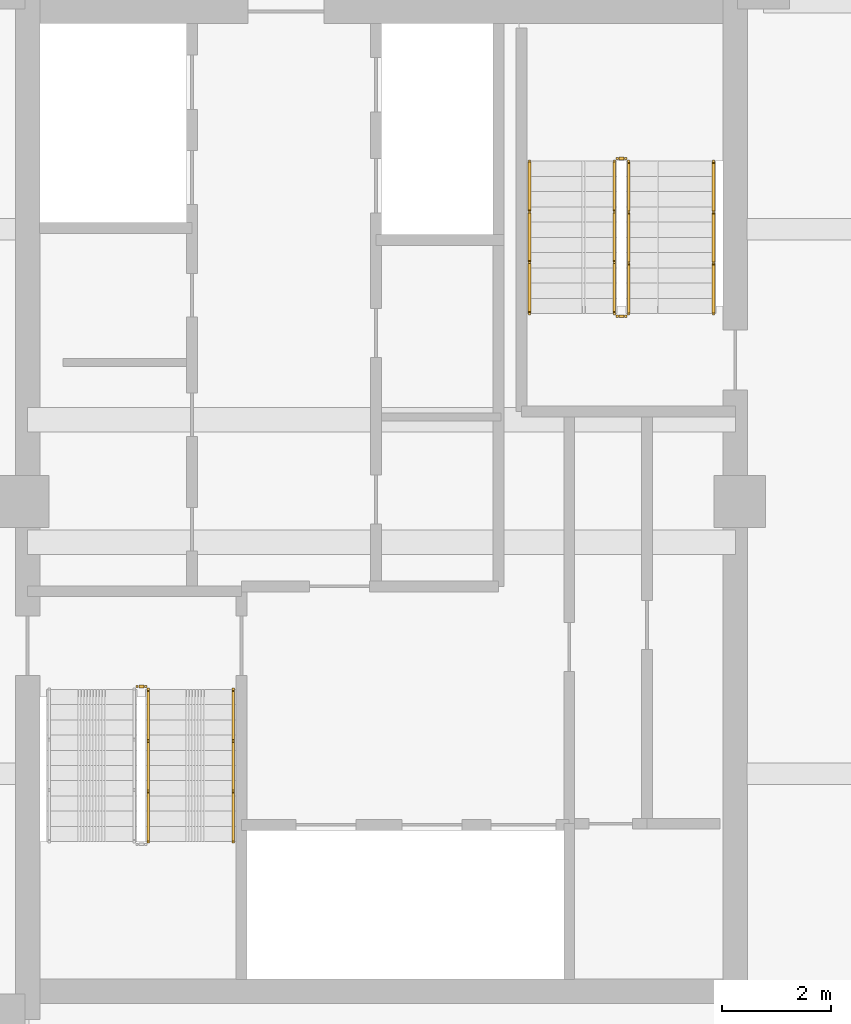
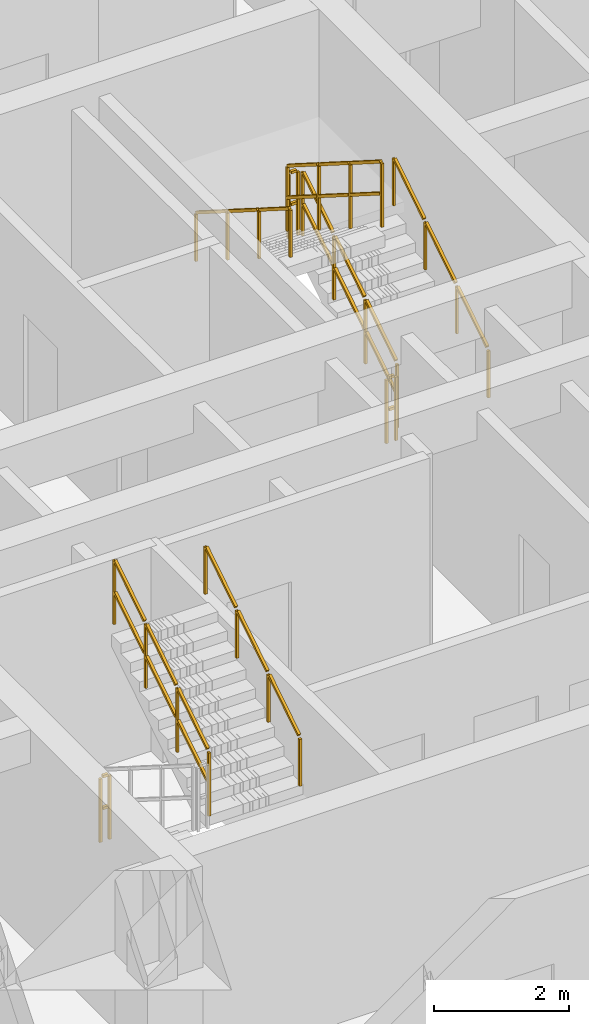
# One storey, part 20 of 22: 9 railings.
"""IFC4 building model written with IfcOpenShell, lengths in metres."""

from ifc_helpers import new_model, si_unit, direction, frame, origin, origin_2d, place, context, subcontext, project, spatial, rectangle, extrude, material, type_object, element, save


model = new_model("IFC4")

# Units and contexts
model_context = context("Model", 3, precision=1e-05, world=origin(), true_north=direction((0.0, 1.0)))
body_context = subcontext(model_context, "Body", "Model", "MODEL_VIEW")
ifc_project = project(units=[si_unit("LENGTHUNIT", "METRE"), si_unit("AREAUNIT", "SQUARE_METRE"), si_unit("VOLUMEUNIT", "CUBIC_METRE"), si_unit("PLANEANGLEUNIT", "RADIAN"), si_unit("MASSUNIT", "GRAM", prefix="KILO")], contexts=[model_context])

# Site, building, storey
site_placement = place(None, origin())
site = spatial("IfcSite", under=ifc_project, at=site_placement, CompositionType="ELEMENT")
building_placement = place(site_placement, origin())
building = spatial("IfcBuilding", under=site, at=building_placement, Name="Saelheon Loggia Tower", CompositionType="ELEMENT")
storey_placement = place(building_placement, frame((0.0, 0.0, 216.300048828125)))
storey = spatial("IfcBuildingStorey", under=building, at=storey_placement, Name="L67", CompositionType="ELEMENT", Elevation=216.300048828125)

# Railings
ifc_material_1 = material(Name="Galvanised Steel S275 Stairwell Guardrail", Category="steel")
railing_type_1 = type_object("IfcRailingType", Name="Guard_StairWell_RL_STG", PredefinedType="GUARDRAIL", material=ifc_material_1)
railing_1_placement = place(storey_placement, frame((33.719970703125, 20.75, 2.127197265625)))
element("IfcRailing", 1, at=railing_1_placement, inside=storey, type_object=railing_type_1, Name="L67 ST1 stair guard 3", PredefinedType="GUARDRAIL", context=body_context, shape_type="SweptSolid", body=[
    extrude(rectangle(XDim=0.048095703125, YDim=0.048095703125, at=origin_2d()), frame((0.0, 0.028076171875, 1.193603515625), z_axis=(0.0, 0.844908973607, 0.534910110503), x_axis=(-1.0, 0.0, 0.0)), (0.0, 0.0, 1.0), 1.0380859375),
    extrude(rectangle(XDim=0.048095703125, YDim=0.048095703125, at=origin_2d()), frame((0.0, 0.028076171875, 0.61767578125), z_axis=(0.0, 0.844908973607, 0.534910110503), x_axis=(-1.0, 0.0, 0.0)), (0.0, 0.0, 1.0), 1.0380859375),
    extrude(rectangle(XDim=0.048095703125, YDim=0.048095703125, at=origin_2d()), frame((0.0, 0.96142578125, 1.78466796875), z_axis=(0.0, 0.844908973607, 0.534910110503), x_axis=(-1.0, 0.0, 0.0)), (0.0, 0.0, 1.0), 1.0380859375),
    extrude(rectangle(XDim=0.048095703125, YDim=0.048095703125, at=origin_2d()), frame((0.0, 0.96142578125, 1.208740234375), z_axis=(0.0, 0.844908973607, 0.534910110503), x_axis=(-1.0, 0.0, 0.0)), (0.0, 0.0, 1.0), 1.0380859375),
    extrude(rectangle(XDim=0.048095703125, YDim=0.048095703125, at=origin_2d()), frame((0.0, 1.894775390625, 2.37548828125), z_axis=(0.0, 0.844908973607, 0.534910110503), x_axis=(-1.0, 0.0, 0.0)), (0.0, 0.0, 1.0), 1.0380859375),
    extrude(rectangle(XDim=0.048095703125, YDim=0.048095703125, at=origin_2d()), frame((0.0, 1.894775390625, 1.799560546875), z_axis=(0.0, 0.844908973607, 0.534910110503), x_axis=(-1.0, 0.0, 0.0)), (0.0, 0.0, 1.0), 1.0380859375),
    extrude(rectangle(XDim=0.0419921875, YDim=0.0419921875, at=origin_2d()), origin(), (0.0, 0.0, 1.0), 1.14794921875),
    extrude(rectangle(XDim=0.0419921875, YDim=0.0419921875, at=origin_2d()), frame((0.0, 0.933349609375, 0.5908203125)), (0.0, 0.0, 1.0), 1.14794921875),
    extrude(rectangle(XDim=0.0419921875, YDim=0.0419921875, at=origin_2d()), frame((0.0, 1.86669921875, 1.181884765625)), (0.0, 0.0, 1.0), 1.14794921875),
    extrude(rectangle(XDim=0.0419921875, YDim=0.0419921875, at=origin_2d()), frame((0.0, 2.800048828125, 1.772705078125)), (0.0, 0.0, 1.0), 1.14794921875),
])
railing_2_placement = place(storey_placement, frame((33.510009765625, 23.60009765625, 0.0)))
element("IfcRailing", 2, at=railing_2_placement, inside=storey, type_object=railing_type_1, Name="L67 ST1 stair guard 4", PredefinedType="GUARDRAIL", context=body_context, shape_type="SweptSolid", body=[
    extrude(rectangle(XDim=0.048095703125, YDim=0.048095703125, at=origin_2d()), frame((0.033203125, 0.0, 1.17578125), z_axis=(1.0, 0.0, 0.0), x_axis=(0.0, 1.0, 0.0)), (0.0, 0.0, 1.0), 0.093505859375),
    extrude(rectangle(XDim=0.048095703125, YDim=0.048095703125, at=origin_2d()), frame((0.033203125, 0.0, 0.60009765625), z_axis=(1.0, 0.0, 0.0), x_axis=(0.0, 1.0, 0.0)), (0.0, 0.0, 1.0), 0.093505859375),
    extrude(rectangle(XDim=0.0419921875, YDim=0.0419921875, at=origin_2d()), origin(), (0.0, 0.0, 1.0), 1.14794921875),
    extrude(rectangle(XDim=0.0419921875, YDim=0.0419921875, at=origin_2d()), frame((0.159912109375, 0.0, 0.0)), (0.0, 0.0, 1.0), 1.14794921875),
])
railing_3_placement = place(storey_placement, frame((42.5400390625, 30.449951171875, 0.17724609375)))
element("IfcRailing", 3, at=railing_3_placement, inside=storey, type_object=railing_type_1, Name="L67 ST2 stair guard 1", PredefinedType="GUARDRAIL", context=body_context, shape_type="SweptSolid", body=[
    extrude(rectangle(XDim=0.048095703125, YDim=0.048095703125, at=origin_2d()), frame((0.0, 0.028076171875, 1.193603515625), z_axis=(0.0, 0.844908973607, 0.534910110503), x_axis=(-1.0, 0.0, 0.0)), (0.0, 0.0, 1.0), 1.0380859375),
    extrude(rectangle(XDim=0.048095703125, YDim=0.048095703125, at=origin_2d()), frame((0.0, 0.028076171875, 0.61767578125), z_axis=(0.0, 0.844908973607, 0.534910110503), x_axis=(-1.0, 0.0, 0.0)), (0.0, 0.0, 1.0), 1.0380859375),
    extrude(rectangle(XDim=0.048095703125, YDim=0.048095703125, at=origin_2d()), frame((0.0, 0.96142578125, 1.78466796875), z_axis=(0.0, 0.844908973607, 0.534910110503), x_axis=(-1.0, 0.0, 0.0)), (0.0, 0.0, 1.0), 1.0380859375),
    extrude(rectangle(XDim=0.048095703125, YDim=0.048095703125, at=origin_2d()), frame((0.0, 0.96142578125, 1.208740234375), z_axis=(0.0, 0.844908973607, 0.534910110503), x_axis=(-1.0, 0.0, 0.0)), (0.0, 0.0, 1.0), 1.0380859375),
    extrude(rectangle(XDim=0.048095703125, YDim=0.048095703125, at=origin_2d()), frame((0.0, 1.894775390625, 2.37548828125), z_axis=(0.0, 0.844908973607, 0.534910110503), x_axis=(-1.0, 0.0, 0.0)), (0.0, 0.0, 1.0), 1.0380859375),
    extrude(rectangle(XDim=0.048095703125, YDim=0.048095703125, at=origin_2d()), frame((0.0, 1.894775390625, 1.799560546875), z_axis=(0.0, 0.844908973607, 0.534910110503), x_axis=(-1.0, 0.0, 0.0)), (0.0, 0.0, 1.0), 1.0380859375),
    extrude(rectangle(XDim=0.0419921875, YDim=0.0419921875, at=origin_2d()), origin(), (0.0, 0.0, 1.0), 1.14794921875),
    extrude(rectangle(XDim=0.0419921875, YDim=0.0419921875, at=origin_2d()), frame((0.0, 0.933349609375, 0.5908203125)), (0.0, 0.0, 1.0), 1.14794921875),
    extrude(rectangle(XDim=0.0419921875, YDim=0.0419921875, at=origin_2d()), frame((0.0, 1.86669921875, 1.181884765625)), (0.0, 0.0, 1.0), 1.14794921875),
    extrude(rectangle(XDim=0.0419921875, YDim=0.0419921875, at=origin_2d()), frame((0.0, 2.800048828125, 1.772705078125)), (0.0, 0.0, 1.0), 1.14794921875),
])
railing_4_placement = place(storey_placement, frame((42.489990234375, 33.300048828125, 1.949951171875)))
element("IfcRailing", 4, at=railing_4_placement, inside=storey, type_object=railing_type_1, Name="L67 ST2 stair guard 2", PredefinedType="GUARDRAIL", context=body_context, shape_type="SweptSolid", body=[
    extrude(rectangle(XDim=0.048095703125, YDim=0.048095703125, at=origin_2d()), frame((-0.033203125, 0.0, 1.17578125), z_axis=(-1.0, 0.0, 0.0), x_axis=(0.0, -1.0, 0.0)), (0.0, 0.0, 1.0), 0.093505859375),
    extrude(rectangle(XDim=0.048095703125, YDim=0.048095703125, at=origin_2d()), frame((-0.033203125, 0.0, 0.60009765625), z_axis=(-1.0, 0.0, 0.0), x_axis=(0.0, -1.0, 0.0)), (0.0, 0.0, 1.0), 0.093505859375),
    extrude(rectangle(XDim=0.0419921875, YDim=0.0419921875, at=origin_2d()), origin(), (0.0, 0.0, 1.0), 1.14794921875),
    extrude(rectangle(XDim=0.0419921875, YDim=0.0419921875, at=origin_2d()), frame((-0.159912109375, 0.0, 0.0)), (0.0, 0.0, 1.0), 1.14794921875),
])
railing_5_placement = place(storey_placement, frame((42.280029296875, 33.25, 2.127197265625)))
element("IfcRailing", 5, at=railing_5_placement, inside=storey, type_object=railing_type_1, Name="L67 ST2 stair guard 3", PredefinedType="GUARDRAIL", context=body_context, shape_type="SweptSolid", body=[
    extrude(rectangle(XDim=0.048095703125, YDim=0.048095703125, at=origin_2d()), frame((0.0, -0.028076171875, 1.193603515625), z_axis=(0.0, -0.844908973607, 0.534910110503), x_axis=(1.0, 0.0, 0.0)), (0.0, 0.0, 1.0), 1.0380859375),
    extrude(rectangle(XDim=0.048095703125, YDim=0.048095703125, at=origin_2d()), frame((0.0, -0.028076171875, 0.61767578125), z_axis=(0.0, -0.844908973607, 0.534910110503), x_axis=(1.0, 0.0, 0.0)), (0.0, 0.0, 1.0), 1.0380859375),
    extrude(rectangle(XDim=0.048095703125, YDim=0.048095703125, at=origin_2d()), frame((0.0, -0.96142578125, 1.78466796875), z_axis=(0.0, -0.844908973607, 0.534910110503), x_axis=(1.0, 0.0, 0.0)), (0.0, 0.0, 1.0), 1.0380859375),
    extrude(rectangle(XDim=0.048095703125, YDim=0.048095703125, at=origin_2d()), frame((0.0, -0.96142578125, 1.208740234375), z_axis=(0.0, -0.844908973607, 0.534910110503), x_axis=(1.0, 0.0, 0.0)), (0.0, 0.0, 1.0), 1.0380859375),
    extrude(rectangle(XDim=0.048095703125, YDim=0.048095703125, at=origin_2d()), frame((0.0, -1.894775390625, 2.37548828125), z_axis=(0.0, -0.844908973607, 0.534910110503), x_axis=(1.0, 0.0, 0.0)), (0.0, 0.0, 1.0), 1.0380859375),
    extrude(rectangle(XDim=0.048095703125, YDim=0.048095703125, at=origin_2d()), frame((0.0, -1.894775390625, 1.799560546875), z_axis=(0.0, -0.844908973607, 0.534910110503), x_axis=(1.0, 0.0, 0.0)), (0.0, 0.0, 1.0), 1.0380859375),
    extrude(rectangle(XDim=0.0419921875, YDim=0.0419921875, at=origin_2d()), origin(), (0.0, 0.0, 1.0), 1.14794921875),
    extrude(rectangle(XDim=0.0419921875, YDim=0.0419921875, at=origin_2d()), frame((0.0, -0.933349609375, 0.5908203125)), (0.0, 0.0, 1.0), 1.14794921875),
    extrude(rectangle(XDim=0.0419921875, YDim=0.0419921875, at=origin_2d()), frame((0.0, -1.86669921875, 1.181884765625)), (0.0, 0.0, 1.0), 1.14794921875),
    extrude(rectangle(XDim=0.0419921875, YDim=0.0419921875, at=origin_2d()), frame((0.0, -2.800048828125, 1.772705078125)), (0.0, 0.0, 1.0), 1.14794921875),
])
railing_6_placement = place(storey_placement, frame((42.489990234375, 30.39990234375, 0.0)))
element("IfcRailing", 6, at=railing_6_placement, inside=storey, type_object=railing_type_1, Name="L67 ST2 stair guard 4", PredefinedType="GUARDRAIL", context=body_context, shape_type="SweptSolid", body=[
    extrude(rectangle(XDim=0.048095703125, YDim=0.048095703125, at=origin_2d()), frame((-0.033203125, 0.0, 1.17578125), z_axis=(-1.0, 0.0, 0.0), x_axis=(0.0, -1.0, 0.0)), (0.0, 0.0, 1.0), 0.093505859375),
    extrude(rectangle(XDim=0.048095703125, YDim=0.048095703125, at=origin_2d()), frame((-0.033203125, 0.0, 0.60009765625), z_axis=(-1.0, 0.0, 0.0), x_axis=(0.0, -1.0, 0.0)), (0.0, 0.0, 1.0), 0.093505859375),
    extrude(rectangle(XDim=0.0419921875, YDim=0.0419921875, at=origin_2d()), origin(), (0.0, 0.0, 1.0), 1.14794921875),
    extrude(rectangle(XDim=0.0419921875, YDim=0.0419921875, at=origin_2d()), frame((-0.159912109375, 0.0, 0.0)), (0.0, 0.0, 1.0), 1.14794921875),
])
ifc_material_2 = material(Name="Stainless Steel 304 Tubular Handrail", Category="steel")
railing_type_2 = type_object("IfcRailingType", Name="Handrail_Stair_RL_HR1", PredefinedType="HANDRAIL", material=ifc_material_2)
for number, where, name in (
    (7, (35.280029296875, 20.75, 2.127197265625), "L67 ST1 stair handrail 2"),
    (8, (44.10009765625, 30.449951171875, 0.17724609375), "L67 ST2 stair handrail 1"),
):
    element("IfcRailing", number, at=place(storey_placement, frame(where)), inside=storey, type_object=railing_type_2, Name=name, PredefinedType="HANDRAIL", context=body_context, shape_type="SweptSolid", body=[
        extrude(rectangle(XDim=0.048095703125, YDim=0.048095703125, at=origin_2d()), frame((0.0, 0.028076171875, 0.8935546875), z_axis=(0.0, 0.844908973607, 0.534910110503), x_axis=(-1.0, 0.0, 0.0)), (0.0, 0.0, 1.0), 1.0380859375),
        extrude(rectangle(XDim=0.048095703125, YDim=0.048095703125, at=origin_2d()), frame((0.0, 0.96142578125, 1.484619140625), z_axis=(0.0, 0.844908973607, 0.534910110503), x_axis=(-1.0, 0.0, 0.0)), (0.0, 0.0, 1.0), 1.0380859375),
        extrude(rectangle(XDim=0.048095703125, YDim=0.048095703125, at=origin_2d()), frame((0.0, 1.894775390625, 2.075439453125), z_axis=(0.0, 0.844908973607, 0.534910110503), x_axis=(-1.0, 0.0, 0.0)), (0.0, 0.0, 1.0), 1.0380859375),
        extrude(rectangle(XDim=0.0419921875, YDim=0.0419921875, at=origin_2d()), origin(), (0.0, 0.0, 1.0), 0.847900390625),
        extrude(rectangle(XDim=0.0419921875, YDim=0.0419921875, at=origin_2d()), frame((0.0, 0.933349609375, 0.5908203125)), (0.0, 0.0, 1.0), 0.847900390625),
        extrude(rectangle(XDim=0.0419921875, YDim=0.0419921875, at=origin_2d()), frame((0.0, 1.86669921875, 1.181884765625)), (0.0, 0.0, 1.0), 0.847900390625),
        extrude(rectangle(XDim=0.0419921875, YDim=0.0419921875, at=origin_2d()), frame((0.0, 2.800048828125, 1.772705078125)), (0.0, 0.0, 1.0), 0.847900390625),
    ])
railing_7_placement = place(storey_placement, frame((40.719970703125, 33.25, 2.127197265625)))
element("IfcRailing", 9, at=railing_7_placement, inside=storey, type_object=railing_type_2, Name="L67 ST2 stair handrail 2", PredefinedType="HANDRAIL", context=body_context, shape_type="SweptSolid", body=[
    extrude(rectangle(XDim=0.048095703125, YDim=0.048095703125, at=origin_2d()), frame((0.0, -0.028076171875, 0.8935546875), z_axis=(0.0, -0.844908973607, 0.534910110503), x_axis=(1.0, 0.0, 0.0)), (0.0, 0.0, 1.0), 1.0380859375),
    extrude(rectangle(XDim=0.048095703125, YDim=0.048095703125, at=origin_2d()), frame((0.0, -0.96142578125, 1.484619140625), z_axis=(0.0, -0.844908973607, 0.534910110503), x_axis=(1.0, 0.0, 0.0)), (0.0, 0.0, 1.0), 1.0380859375),
    extrude(rectangle(XDim=0.048095703125, YDim=0.048095703125, at=origin_2d()), frame((0.0, -1.894775390625, 2.075439453125), z_axis=(0.0, -0.844908973607, 0.534910110503), x_axis=(1.0, 0.0, 0.0)), (0.0, 0.0, 1.0), 1.0380859375),
    extrude(rectangle(XDim=0.0419921875, YDim=0.0419921875, at=origin_2d()), origin(), (0.0, 0.0, 1.0), 0.847900390625),
    extrude(rectangle(XDim=0.0419921875, YDim=0.0419921875, at=origin_2d()), frame((0.0, -0.933349609375, 0.5908203125)), (0.0, 0.0, 1.0), 0.847900390625),
    extrude(rectangle(XDim=0.0419921875, YDim=0.0419921875, at=origin_2d()), frame((0.0, -1.86669921875, 1.181884765625)), (0.0, 0.0, 1.0), 0.847900390625),
    extrude(rectangle(XDim=0.0419921875, YDim=0.0419921875, at=origin_2d()), frame((0.0, -2.800048828125, 1.772705078125)), (0.0, 0.0, 1.0), 0.847900390625),
])

save(model, "model.ifc")
